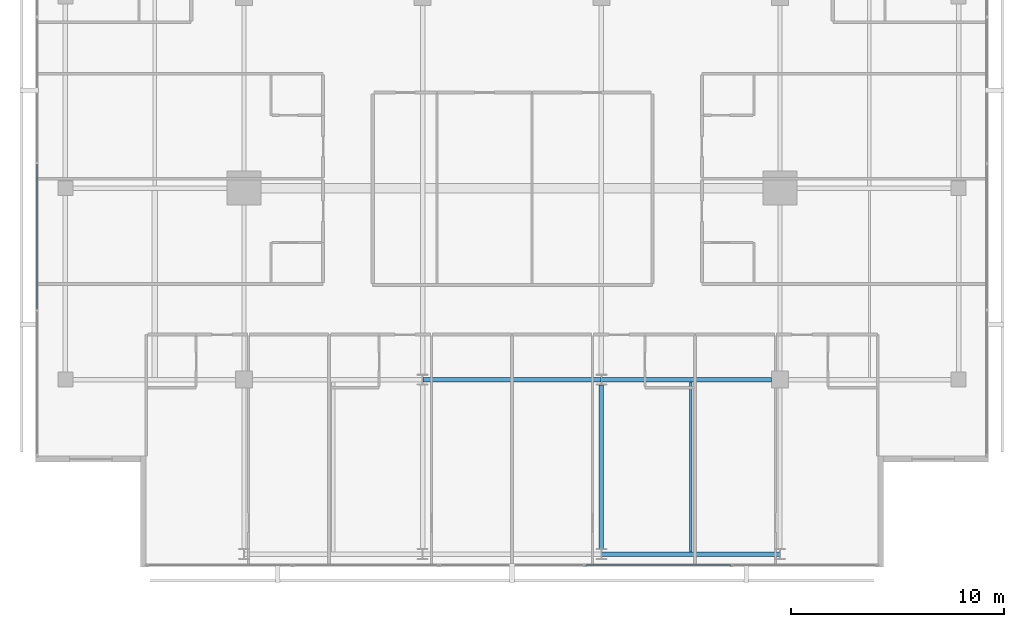
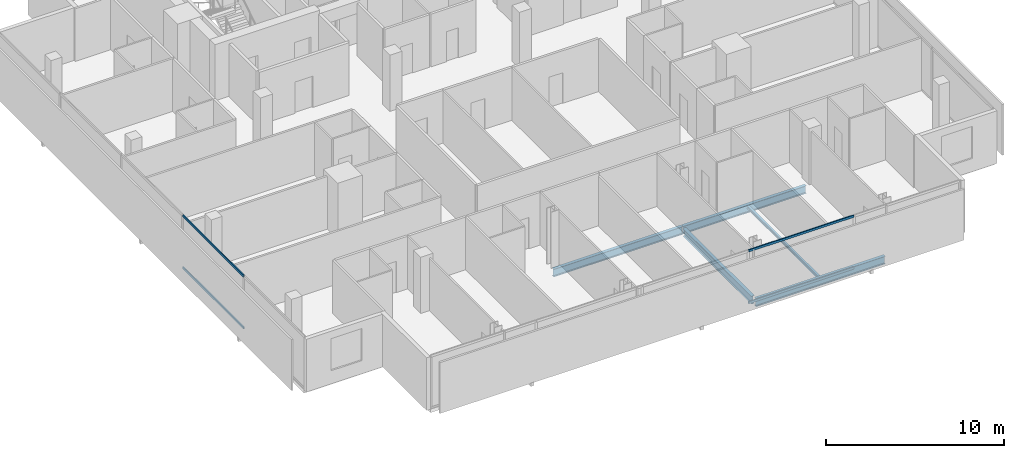
# One storey, part 7 of 26: 5 beams, 4 members, 2 elements without a shape of their own.
"""IFC4 building model written with IfcOpenShell, lengths in metres."""

import ifcopenshell
import ifcopenshell.guid

model = None  # the IFC model being written
_history = None  # IfcOwnerHistory: only IFC2X3 demands one
_inside = {}  # id of a spatial element -> (the spatial element, [elements in it])
_under = {}  # id of a project, library or spatial element -> (it, [spatial elements below it])
_declared = {}  # id of a project -> (the project, [libraries it declares])
_typed = {}  # id of a type object -> (the type object, [elements of that type])
_made_of = {}  # id of a material, layer set ... -> (it, [elements and type objects made of it])


def new_model(schema):
    """Start an empty IFC model of exactly this schema.

    Asked for "IFC4X3", IfcOpenShell would pick the latest addendum, in which some entities
    have other attributes; the version numbers below select the first issue.
    IFC2X3 requires an IfcOwnerHistory on every rooted entity: one is made here for all.
    """
    global model, _history
    if schema == "IFC4X3":
        model = ifcopenshell.file(schema_version=(4, 3, 0, 0))
    else:
        model = ifcopenshell.file(schema=schema)
    _inside.clear()
    _under.clear()
    _declared.clear()
    _typed.clear()
    _made_of.clear()
    _history = None
    if model.schema == "IFC2X3":
        org = make("IfcOrganization", Name="unknown")
        user = make(
            "IfcPersonAndOrganization",
            ThePerson=make("IfcPerson", FamilyName="unknown"),
            TheOrganization=org,
        )
        app = make(
            "IfcApplication",
            ApplicationDeveloper=org,
            Version="unknown",
            ApplicationFullName="unknown",
            ApplicationIdentifier="unknown",
        )
        _history = make(
            "IfcOwnerHistory",
            OwningUser=user,
            OwningApplication=app,
            ChangeAction="ADDED",
            CreationDate=0,
        )
    return model


def make(cls, **values):
    """One entity of the class cls with the attributes given. An attribute that is None is left unset."""
    return model.create_entity(
        cls, **{name: value for name, value in values.items() if value is not None}
    )


def rooted(cls, **values):
    """An entity with a GlobalId (a new one), such as an element, a storey or a relation."""
    return make(cls, GlobalId=ifcopenshell.guid.new(), OwnerHistory=_history, **values)


def si_unit(unit_type, name, prefix=None):
    """IfcSIUnit, for example si_unit("LENGTHUNIT", "METRE", prefix="MILLI")."""
    return make("IfcSIUnit", UnitType=unit_type, Prefix=prefix, Name=name)


def assignment(units):
    """IfcUnitAssignment: the units of a project."""
    return None if units is None else make("IfcUnitAssignment", Units=units)


def point(xyz):
    """IfcCartesianPoint."""
    return None if xyz is None else make("IfcCartesianPoint", Coordinates=xyz)


def direction(xyz):
    """IfcDirection."""
    return None if xyz is None else make("IfcDirection", DirectionRatios=xyz)


def frame(location, z_axis=None, x_axis=None):
    """IfcAxis2Placement3D, a coordinate frame: its origin and axes. An axis left out is left unset."""
    return make(
        "IfcAxis2Placement3D",
        Location=point(location),
        Axis=direction(z_axis),
        RefDirection=direction(x_axis),
    )


def frame_2d(location, x_axis=None):
    """IfcAxis2Placement2D, a coordinate frame in the plane: its origin and x axis."""
    return make(
        "IfcAxis2Placement2D", Location=point(location), RefDirection=direction(x_axis)
    )


def origin():
    """The frame at (0, 0, 0) with its axes left unset."""
    return frame((0.0, 0.0, 0.0))


def origin_2d():
    """The frame at (0, 0) in the plane with its x axis left unset."""
    return frame_2d((0.0, 0.0))


def place(relative_to, where):
    """IfcLocalPlacement: puts the frame where relative to a parent placement (None: the world)."""
    return make(
        "IfcLocalPlacement", PlacementRelTo=relative_to, RelativePlacement=where
    )


def context(
    kind, dimensions, precision=None, world=None, true_north=None, identifier=None
):
    """IfcGeometricRepresentationContext, for example the 3D "Model" context."""
    return make(
        "IfcGeometricRepresentationContext",
        ContextIdentifier=identifier,
        ContextType=kind,
        CoordinateSpaceDimension=dimensions,
        Precision=precision,
        WorldCoordinateSystem=world,
        TrueNorth=true_north,
    )


def subcontext(parent, identifier, kind, view, scale=None):
    """IfcGeometricRepresentationSubContext, for example "Body" below "Model"."""
    return make(
        "IfcGeometricRepresentationSubContext",
        ContextIdentifier=identifier,
        ContextType=kind,
        ParentContext=parent,
        TargetScale=scale,
        TargetView=view,
    )


def project(units=None, contexts=None):
    """IfcProject with its units and contexts."""
    return rooted(
        "IfcProject",
        Name="project",
        RepresentationContexts=contexts,
        UnitsInContext=assignment(units),
    )


def spatial(cls, under=None, at=None, **own):
    """A site, building, storey or space (cls), placed at a placement, below another one or the project."""
    s = rooted(cls, ObjectPlacement=at, **own)
    if under is not None:
        _under.setdefault(under.id(), (under, []))[1].append(s)
    return s


def profile(cls, at=None, kind="AREA", **sizes):
    """A parametric profile (cls). Its sizes go by their IFC names, for example OverallWidth=200.0."""
    return make(cls, ProfileType=kind, Position=at, **sizes)


def hollow_rectangle(**sizes):
    """IfcRectangleHollowProfileDef."""
    return profile("IfcRectangleHollowProfileDef", **sizes)


def i_section(**sizes):
    """IfcIShapeProfileDef."""
    return profile("IfcIShapeProfileDef", **sizes)


def extrude(swept, where, along, depth):
    """IfcExtrudedAreaSolid: the profile swept, set in the frame where, extruded along a direction by depth."""
    return make(
        "IfcExtrudedAreaSolid",
        SweptArea=swept,
        Position=where,
        ExtrudedDirection=direction(along),
        Depth=depth,
    )


def shape(context_of_items, identifier, shape_type, items):
    """IfcShapeRepresentation: the items that make up one representation, for example the "Body"."""
    return make(
        "IfcShapeRepresentation",
        ContextOfItems=context_of_items,
        RepresentationIdentifier=identifier,
        RepresentationType=shape_type,
        Items=items,
    )


def material(Name=None, Category=None):
    """IfcMaterial."""
    return make("IfcMaterial", Name=Name, Category=Category)


def layer(
    of_material, thickness, ventilated=None, Name=None, Category=None, Priority=None
):
    """IfcMaterialLayer: one layer of a wall or slab, of a material (None: an air gap)."""
    return make(
        "IfcMaterialLayer",
        Material=of_material,
        LayerThickness=thickness,
        IsVentilated=ventilated,
        Name=Name,
        Category=Category,
        Priority=Priority,
    )


def layer_set(layers, Name=None):
    """IfcMaterialLayerSet."""
    return make("IfcMaterialLayerSet", MaterialLayers=layers, LayerSetName=Name)


def material_profile(
    of_material, cross_section, Name=None, Category=None, Priority=None
):
    """IfcMaterialProfile: a cross section and its material."""
    return make(
        "IfcMaterialProfile",
        Name=Name,
        Material=of_material,
        Profile=cross_section,
        Priority=Priority,
        Category=Category,
    )


def profile_set(profiles, Name=None, composite=None):
    """IfcMaterialProfileSet."""
    return make(
        "IfcMaterialProfileSet",
        Name=Name,
        MaterialProfiles=profiles,
        CompositeProfile=composite,
    )


def made_of(thing, what):
    """Note that an element or type object is made of a material, layer set ...; save() writes the relation."""
    if what is not None:
        _made_of.setdefault(what.id(), (what, []))[1].append(thing)
    return thing


def type_object(cls, material=None, **own):
    """A type object (cls), such as IfcWallType, which elements share."""
    return made_of(rooted(cls, **own), material)


def element(
    cls,
    number,
    at=None,
    inside=None,
    cuts=None,
    type_object=None,
    material=None,
    context=None,
    identifier="Body",
    shape_type=None,
    held_by="IfcProductDefinitionShape",
    body=None,
    shapes=None,
    **own,
):
    """One element of the class cls, such as IfcWall. Its Tag is "e" and its number.

    at: its placement. inside: the storey or other place that contains it. cuts: it is an
    opening in that element (IfcRelVoidsElement). A single representation is given by context,
    identifier, shape_type and body (its items); several are given by shapes. held_by: the class
    of the entity that holds the representations. save() writes the other relations.
    """
    e = rooted(cls, Tag="e%d" % number, ObjectPlacement=at, **own)
    if body is not None:
        shapes = [shape(context, identifier, shape_type, body)]
    if shapes is not None:
        e.Representation = make(held_by, Representations=shapes)
    if inside is not None:
        _inside.setdefault(inside.id(), (inside, []))[1].append(e)
    if cuts is not None:
        rooted(
            "IfcRelVoidsElement", RelatingBuildingElement=cuts, RelatedOpeningElement=e
        )
    if type_object is not None:
        _typed.setdefault(type_object.id(), (type_object, []))[1].append(e)
    return made_of(e, material)


def aggregate(whole, parts):
    """IfcRelAggregates: a whole, such as a stair, and the parts it consists of."""
    return rooted("IfcRelAggregates", RelatingObject=whole, RelatedObjects=parts)


def save(model, path):
    """Write the relations noted so far, then the file.

    IfcRelAggregates (storeys below a building ...), IfcRelContainedInSpatialStructure (elements
    in a storey), IfcRelDefinesByType, IfcRelAssociatesMaterial and IfcRelDeclares: one each for
    every whole, place, type object, material and project.
    """
    for whole, parts in _under.values():
        aggregate(whole, parts)
    for where, things in _inside.values():
        rooted(
            "IfcRelContainedInSpatialStructure",
            RelatedElements=things,
            RelatingStructure=where,
        )
    for kind, things in _typed.values():
        rooted("IfcRelDefinesByType", RelatedObjects=things, RelatingType=kind)
    for what, things in _made_of.values():
        rooted("IfcRelAssociatesMaterial", RelatedObjects=things, RelatingMaterial=what)
    for by, libraries in _declared.values():
        rooted("IfcRelDeclares", RelatingContext=by, RelatedDefinitions=libraries)
    model.write(path)


model = new_model("IFC4")

# Units and contexts
model_context = context("Model", 3, precision=1e-05, world=origin(), true_north=direction((0.0, 1.0)))
body_context = subcontext(model_context, "Body", "Model", "MODEL_VIEW")
ifc_project = project(units=[si_unit("LENGTHUNIT", "METRE"), si_unit("AREAUNIT", "SQUARE_METRE"), si_unit("VOLUMEUNIT", "CUBIC_METRE"), si_unit("PLANEANGLEUNIT", "RADIAN"), si_unit("MASSUNIT", "GRAM", prefix="KILO")], contexts=[model_context])

# Site, building, storey
site_placement = place(None, origin())
site = spatial("IfcSite", under=ifc_project, at=site_placement, CompositionType="ELEMENT")
building_placement = place(site_placement, origin())
building = spatial("IfcBuilding", under=site, at=building_placement, Name="Maruvema Waterfront Hotel and Observation Tower", CompositionType="ELEMENT")
storey_placement = place(building_placement, frame((0.0, 0.0, 254.800048828125)))
storey = spatial("IfcBuildingStorey", under=building, at=storey_placement, Name="L62", CompositionType="ELEMENT", Elevation=254.800048828125)

# Curtain wall, members
ifc_material_1 = material(Name="Anodised bronze aluminium and solar-control low-E IGU", Category="aluminium")
ifc_layer = layer(ifc_material_1, 0.159912109375, Name="Zone 3 Champagne Inner Thermal Curtain Wall System CW-04")
ifc_layer_set = layer_set([ifc_layer], Name="Anodised bronze aluminium and solar-control low-E IGU")
curtain_wall_type = type_object("IfcCurtainWallType", Name="Zone 3 Champagne Inner Thermal Curtain Wall System CW-04", PredefinedType="USERDEFINED", material=ifc_layer_set)
curtain_wall_1_placement = place(storey_placement, origin())
curtain_wall_1 = element("IfcCurtainWall", 1, at=curtain_wall_1_placement, inside=storey, type_object=curtain_wall_type, Name="L62 Curtain Wall CW-L62-S", ObjectType="UNITISED CURTAIN WALL", PredefinedType="USERDEFINED")
ifc_material_2 = material(Name="Anodised architectural bronze aluminium", Category="aluminium")
ifc_material_profile_1 = material_profile(ifc_material_2, hollow_rectangle(XDim=0.070068359375, YDim=0.14990234375, WallThickness=0.00390625, at=origin_2d()), Name="ALU-T70x150")
ifc_profile_set_1 = profile_set([ifc_material_profile_1], Name="Anodised architectural bronze aluminium")
member_type = type_object("IfcMemberType", Name="Curtain Wall Horizontal Transom ALU-T70x150", PredefinedType="USERDEFINED", material=ifc_profile_set_1)
member_1_placement = place(storey_placement, frame((41.27001953125, 9.280029296875, 0.030029296875), z_axis=(1.0, 0.0, 0.0), x_axis=(0.0, 1.0, 0.0)))
member_1 = element("IfcMember", 2, at=member_1_placement, type_object=member_type, Name="CW-04 transom 4.1", ObjectType="TRANSOM", PredefinedType="USERDEFINED", context=body_context, shape_type="SweptSolid", body=[
    extrude(hollow_rectangle(XDim=0.070068359375, YDim=0.14990234375, WallThickness=0.00390625, at=origin_2d()), origin(), (0.0, 0.0, 1.0), 6.820068359375),
])
member_2_placement = place(storey_placement, frame((41.27001953125, 9.280029296875, 3.579833984375), z_axis=(1.0, 0.0, 0.0), x_axis=(0.0, 1.0, 0.0)))
member_2 = element("IfcMember", 3, at=member_2_placement, type_object=member_type, Name="CW-04 transom 4.2", ObjectType="TRANSOM", PredefinedType="USERDEFINED", context=body_context, shape_type="SweptSolid", body=[
    extrude(hollow_rectangle(XDim=0.070068359375, YDim=0.14990234375, WallThickness=0.00390625, at=origin_2d()), origin(), (0.0, 0.0, 1.0), 6.820068359375),
])
aggregate(curtain_wall_1, [member_1, member_2])

curtain_wall_2_placement = place(storey_placement, origin())
curtain_wall_2 = element("IfcCurtainWall", 4, at=curtain_wall_2_placement, inside=storey, type_object=curtain_wall_type, Name="L62 Curtain Wall CW-L62-W", ObjectType="UNITISED CURTAIN WALL", PredefinedType="USERDEFINED")
member_3_placement = place(storey_placement, frame((15.47998046875, 28.1298828125, 0.030029296875), z_axis=(0.0, -1.0, 0.0), x_axis=(1.0, 0.0, 0.0)))
member_3 = element("IfcMember", 5, at=member_3_placement, type_object=member_type, Name="CW-04 transom 4.1", ObjectType="TRANSOM", PredefinedType="USERDEFINED", context=body_context, shape_type="SweptSolid", body=[
    extrude(hollow_rectangle(XDim=0.070068359375, YDim=0.14990234375, WallThickness=0.00390625, at=origin_2d()), origin(), (0.0, 0.0, 1.0), 6.81982421875),
])
member_4_placement = place(storey_placement, frame((15.47998046875, 28.1298828125, 3.579833984375), z_axis=(0.0, -1.0, 0.0), x_axis=(1.0, 0.0, 0.0)))
member_4 = element("IfcMember", 6, at=member_4_placement, type_object=member_type, Name="CW-04 transom 4.2", ObjectType="TRANSOM", PredefinedType="USERDEFINED", context=body_context, shape_type="SweptSolid", body=[
    extrude(hollow_rectangle(XDim=0.070068359375, YDim=0.14990234375, WallThickness=0.00390625, at=origin_2d()), origin(), (0.0, 0.0, 1.0), 6.81982421875),
])
aggregate(curtain_wall_2, [member_3, member_4])

# Beams
ifc_material_3 = material(Name="Steel ASTM A572 Grade 50", Category="steel")
ifc_material_profile_2 = material_profile(ifc_material_3, i_section(OverallWidth=0.208984375, OverallDepth=0.532958984375, WebThickness=0.01025390625, FlangeThickness=0.015625, FilletRadius=0.014892578125, at=origin_2d()), Name="W530x92.0")
ifc_profile_set_2 = profile_set([ifc_material_profile_2], Name="Steel ASTM A572 Grade 50")
beam_type_1 = type_object("IfcBeamType", Name="Primary Floor Girder W530x92.0", PredefinedType="BEAM", material=ifc_profile_set_2)
for number, where, z_axis, x_axis, name in (
    (7, (42.010986328125, 9.800048828125, -0.506591796875), (1.0, 0.0, 0.0), (0.0, 1.0, 0.0), "L62 Floor Girder EW-03"),
    (8, (33.611083984375, 18.0, -0.506591796875), (1.0, 0.0, 0.0), (0.0, 1.0, 0.0), "L62 Floor Girder EW-06"),
):
    element("IfcBeam", number, at=place(storey_placement, frame(where, z_axis=z_axis, x_axis=x_axis)), inside=storey, type_object=beam_type_1, Name=name, PredefinedType="BEAM", context=body_context, shape_type="SweptSolid", body=[
        extrude(i_section(OverallWidth=0.208984375, OverallDepth=0.532958984375, WebThickness=0.01025390625, FlangeThickness=0.015625, FilletRadius=0.014892578125, at=origin_2d()), origin(), (0.0, 0.0, 1.0), 8.3779296875),
    ])
beam_1_placement = place(storey_placement, frame((42.010986328125, 18.0, -0.506591796875), z_axis=(1.0, 0.0, 0.0), x_axis=(0.0, 1.0, 0.0)))
element("IfcBeam", 9, at=beam_1_placement, inside=storey, type_object=beam_type_1, Name="L62 Floor Girder EW-07", PredefinedType="BEAM", context=body_context, shape_type="SweptSolid", body=[
    extrude(i_section(OverallWidth=0.208984375, OverallDepth=0.532958984375, WebThickness=0.01025390625, FlangeThickness=0.015625, FilletRadius=0.014892578125, at=origin_2d()), origin(), (0.0, 0.0, 1.0), 7.989013671875),
])
beam_2_placement = place(storey_placement, frame((42.0, 10.050048828125, -0.506591796875), z_axis=(0.0, 1.0, 0.0), x_axis=(-1.0, 0.0, 0.0)))
element("IfcBeam", 10, at=beam_2_placement, inside=storey, type_object=beam_type_1, Name="L62 Floor Girder NS-10", PredefinedType="BEAM", context=body_context, shape_type="SweptSolid", body=[
    extrude(i_section(OverallWidth=0.208984375, OverallDepth=0.532958984375, WebThickness=0.01025390625, FlangeThickness=0.015625, FilletRadius=0.014892578125, at=origin_2d()), origin(), (0.0, 0.0, 1.0), 7.699951171875),
])
ifc_material_4 = material(Name="Steel ASTM A572 Grade 50", Category="steel")
ifc_material_profile_3 = material_profile(ifc_material_4, i_section(OverallWidth=0.133056640625, OverallDepth=0.20703125, WebThickness=0.005859375, FlangeThickness=0.00830078125, FilletRadius=0.010009765625, at=origin_2d()), Name="W200x26.6")
ifc_profile_set_3 = profile_set([ifc_material_profile_3], Name="Steel ASTM A572 Grade 50")
beam_type_2 = type_object("IfcBeamType", Name="Secondary Floor Joist W200x26.6", PredefinedType="JOIST", material=ifc_profile_set_3)
beam_3_placement = place(storey_placement, frame((46.199951171875, 9.904541015625, -0.343505859375), z_axis=(0.0, 1.0, 0.0), x_axis=(-1.0, 0.0, 0.0)))
element("IfcBeam", 11, at=beam_3_placement, inside=storey, type_object=beam_type_2, Name="L62 Secondary Floor Joist JS-06", PredefinedType="JOIST", context=body_context, shape_type="SweptSolid", body=[
    extrude(i_section(OverallWidth=0.133056640625, OverallDepth=0.20703125, WebThickness=0.005859375, FlangeThickness=0.00830078125, FilletRadius=0.010009765625, at=origin_2d()), origin(), (0.0, 0.0, 1.0), 7.990966796875),
])

save(model, "model.ifc")
